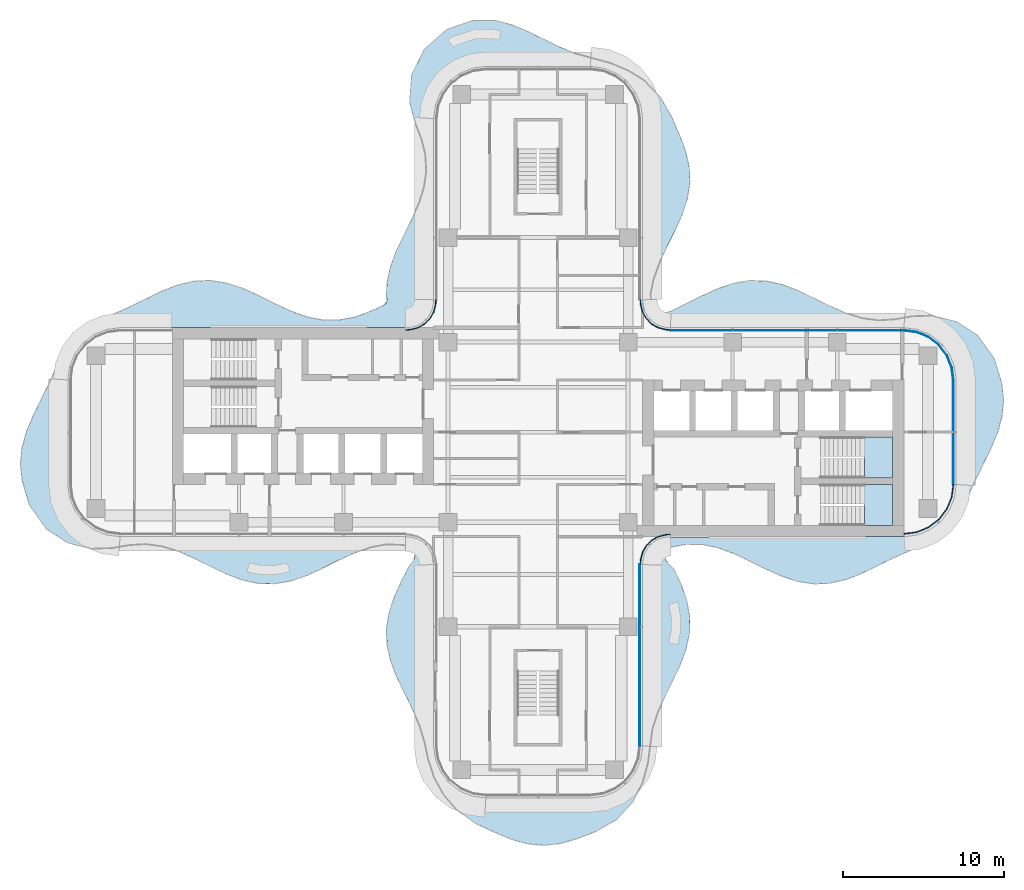
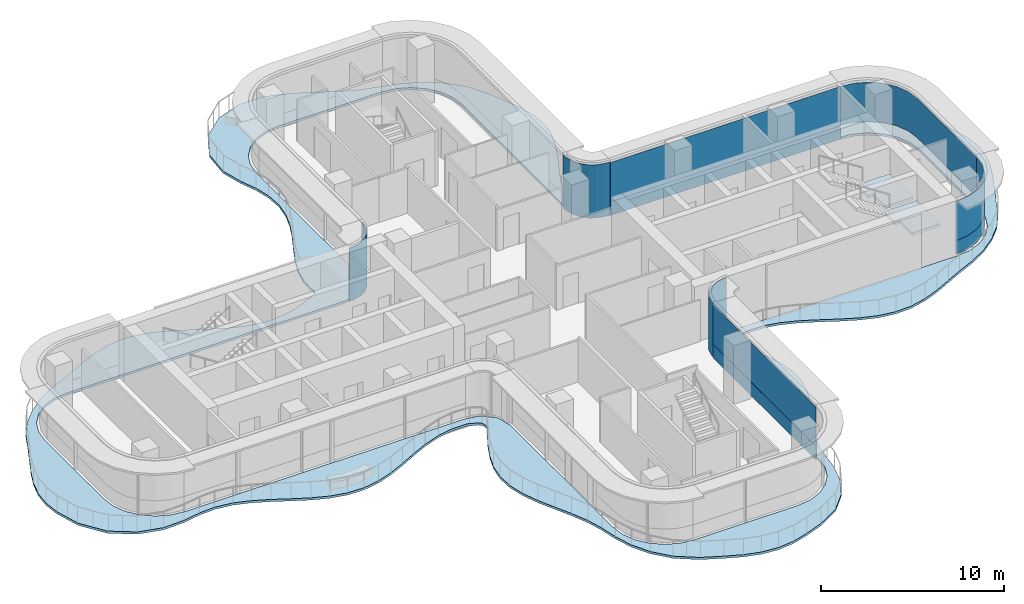
# One storey, part 9 of 16: 10 plates, 3 slabs, 9 elements without a shape of their own.
"""IFC4 building model written with IfcOpenShell, lengths in metres."""

from ifc_helpers import new_model, si_unit, direction, frame, origin, place, context, subcontext, project, spatial, polyline, outline, extrude, source, transform, mapped, material, layer, layer_set, type_object, element, aggregate, save


model = new_model("IFC4")

# Units and contexts
model_context = context("Model", 3, precision=1e-05, world=origin(), true_north=direction((0.0, 1.0)))
body_context = subcontext(model_context, "Body", "Model", "MODEL_VIEW")
ifc_project = project(units=[si_unit("LENGTHUNIT", "METRE"), si_unit("AREAUNIT", "SQUARE_METRE"), si_unit("VOLUMEUNIT", "CUBIC_METRE"), si_unit("PLANEANGLEUNIT", "RADIAN"), si_unit("MASSUNIT", "GRAM", prefix="KILO")], contexts=[model_context])

# Site, building, storey
site_placement = place(None, origin())
site = spatial("IfcSite", under=ifc_project, at=site_placement, CompositionType="ELEMENT")
building_placement = place(site_placement, origin())
building = spatial("IfcBuilding", under=site, at=building_placement, Name="Trellis Farm Tower", CompositionType="ELEMENT")
storey_placement = place(building_placement, frame((0.0, 0.0, 248.0)))
storey = spatial("IfcBuildingStorey", under=building, at=storey_placement, Name="L55", CompositionType="ELEMENT", Elevation=248.0)

# Slab
ifc_material_1 = material(Name="Concrete C40/50", Category="concrete")
ifc_layer_1 = layer(ifc_material_1, 0.14990234375)
ifc_layer_set_1 = layer_set([ifc_layer_1], Name="Balcony slab 150")
slab_type_1 = type_object("IfcSlabType", Name="Balcony slab 150", PredefinedType="FLOOR", material=ifc_layer_set_1)
slab_1_placement = place(storey_placement, frame((0.0, 0.0, -0.14990234375)))
element("IfcSlab", 1, at=slab_1_placement, inside=storey, type_object=slab_type_1, Name="Balcony slab", PredefinedType="FLOOR", context=body_context, shape_type="SweptSolid", body=[
    extrude(outline(polyline([(-21.38134765625, -7.8525390625), (-22.362060546875, -7.41845703125), (-22.36962890625, -7.41552734375), (-23.345703125, -7.104736328125), (-23.358154296875, -7.101806640625), (-24.403564453125, -6.95751953125), (-24.418212890625, -6.956787109375), (-25.388427734375, -7.015625), (-25.396728515625, -7.0166015625), (-26.466552734375, -7.203125), (-26.48681640625, -7.205078125), (-27.763427734375, -7.251953125), (-27.80517578125, -7.24755859375), (-29.21435546875, -6.896484375), (-29.259765625, -6.876953125), (-30.579833984375, -6.022705078125), (-30.602783203125, -6.004638671875), (-30.629638671875, -5.978515625), (-30.648681640625, -5.956298828125), (-31.62060546875, -4.560791015625), (-31.64111328125, -4.517822265625), (-32.090087890625, -3.010986328125), (-32.095458984375, -2.98388671875), (-32.196533203125, -2.0244140625), (-32.19677734375, -1.99560546875), (-32.111328125, -1.025390625), (-32.106689453125, -0.9990234375), (-31.83935546875, -0.019775390625), (-31.833251953125, -0.001708984375), (-31.422607421875, 0.9873046875), (-31.418701171875, 0.99560546875), (-30.445068359375, 2.994873046875), (-30.4443359375, 2.99658203125), (-29.920654296875, 4.146240234375), (-29.9091796875, 4.166748046875), (-29.260986328125, 5.1484375), (-29.243896484375, 5.169677734375), (-28.443359375, 6.00341796875), (-28.427978515625, 6.01708984375), (-27.5361328125, 6.72216796875), (-27.51708984375, 6.735107421875), (-26.494384765625, 7.3134765625), (-26.481201171875, 7.320068359375), (-25.36669921875, 7.812744140625), (-25.3642578125, 7.81396484375), (-23.3916015625, 8.776611328125), (-23.380126953125, 8.78173828125), (-22.404541015625, 9.15966796875), (-22.384765625, 9.166015625), (-21.41650390625, 9.39306640625), (-21.388916015625, 9.396728515625), (-20.422607421875, 9.440185546875), (-20.39306640625, 9.4384765625), (-19.392822265625, 9.283447265625), (-19.368896484375, 9.277587890625), (-18.396728515625, 8.956787109375), (-18.382080078125, 8.951171875), (-17.4072265625, 8.5126953125), (-17.40185546875, 8.51025390625), (-16.40185546875, 8.01123046875), (-16.400146484375, 8.010498046875), (-15.39697265625, 7.541259765625), (-15.390625, 7.53857421875), (-14.3916015625, 7.177978515625), (-14.380615234375, 7.175048828125), (-13.388916015625, 6.98046875), (-13.374755859375, 6.97900390625), (-12.392578125, 6.977294921875), (-12.37890625, 6.978515625), (-11.454833984375, 7.151611328125), (-11.44384765625, 7.15478515625), (-10.414794921875, 7.515625), (-10.407958984375, 7.518310546875), (-9.604248046875, 7.890625), (-9.589599609375, 7.899658203125), (-9.48486328125, 7.981201171875), (-9.4638671875, 8.00732421875), (-9.40966796875, 8.119140625), (-9.40234375, 8.15185546875), (-9.403076171875, 8.284912109375), (-9.4052734375, 8.3017578125), (-9.4287109375, 8.3994140625), (-9.4326171875, 8.438720703125), (-9.40771484375, 9.2783203125), (-9.404296875, 9.30615234375), (-9.191650390625, 10.27392578125), (-9.185546875, 10.294677734375), (-8.818115234375, 11.27001953125), (-8.813232421875, 11.28125), (-8.345703125, 12.265625), (-8.344482421875, 12.268310546875), (-7.85400390625, 13.253173828125), (-7.8525390625, 13.25634765625), (-7.40478515625, 14.27294921875), (-7.402099609375, 14.28076171875), (-7.1044921875, 15.22119140625), (-7.101806640625, 15.23291015625), (-6.960205078125, 16.20947265625), (-6.959716796875, 16.224609375), (-7.019775390625, 17.272216796875), (-7.02197265625, 17.285888671875), (-7.252197265625, 18.217041015625), (-7.255126953125, 18.22607421875), (-7.654296875, 19.252685546875), (-7.65966796875, 19.268798828125), (-7.990234375, 20.523681640625), (-7.994873046875, 20.572998046875), (-7.873291015625, 22.19921875), (-7.8681640625, 22.228759765625), (-7.85791015625, 22.2646484375), (-7.847412109375, 22.291748046875), (-7.077880859375, 23.8125), (-7.062255859375, 23.837158203125), (-7.0390625, 23.866943359375), (-7.01904296875, 23.88818359375), (-5.6923828125, 25.0361328125), (-5.668701171875, 25.052978515625), (-5.635986328125, 25.071533203125), (-5.609375, 25.08349609375), (-4.051513671875, 25.609130859375), (-4.002685546875, 25.616943359375), (-2.663330078125, 25.609130859375), (-2.625, 25.60400390625), (-1.64501953125, 25.33935546875), (-1.626708984375, 25.3330078125), (-0.6279296875, 24.918212890625), (-0.61962890625, 24.914306640625), (1.351318359375, 23.94921875), (1.356201171875, 23.947021484375), (2.3359375, 23.547119140625), (2.344482421875, 23.544189453125), (4.492431640625, 22.96044921875), (4.5107421875, 22.9541015625), (5.5458984375, 22.522705078125), (5.56640625, 22.512451171875), (6.546875, 21.914306640625), (6.574951171875, 21.89208984375), (7.56982421875, 20.893798828125), (7.593994140625, 20.862060546875), (8.300048828125, 19.617919921875), (8.307373046875, 19.603515625), (8.77978515625, 18.510498046875), (8.781982421875, 18.505126953125), (9.15966796875, 17.529541015625), (9.166015625, 17.509765625), (9.39306640625, 16.54150390625), (9.396728515625, 16.513916015625), (9.440185546875, 15.547607421875), (9.4384765625, 15.51806640625), (9.2900390625, 14.54541015625), (9.284423828125, 14.521484375), (8.96337890625, 13.5390625), (8.957763671875, 13.524169921875), (8.5126953125, 12.5322265625), (8.510009765625, 12.526611328125), (8.014892578125, 11.534423828125), (8.01416015625, 11.53271484375), (7.55322265625, 10.550537109375), (7.550537109375, 10.544189453125), (7.177978515625, 9.516357421875), (7.175048828125, 9.505859375), (6.9912109375, 8.598388671875), (6.98974609375, 8.587158203125), (6.985107421875, 8.4931640625), (6.9853515625, 8.48193359375), (7.045654296875, 7.89306640625), (7.048828125, 7.877685546875), (7.0869140625, 7.760498046875), (7.102294921875, 7.733642578125), (7.18505859375, 7.642578125), (7.19677734375, 7.632080078125), (7.466796875, 7.43798828125), (7.481201171875, 7.4296875), (7.601806640625, 7.37890625), (7.63427734375, 7.373291015625), (7.76416015625, 7.3798828125), (7.781494140625, 7.3828125), (8.260009765625, 7.52392578125), (8.272216796875, 7.52880859375), (10.16064453125, 8.467041015625), (10.1650390625, 8.468994140625), (11.147216796875, 8.91796875), (11.1611328125, 8.92333984375), (12.134033203125, 9.25634765625), (12.156982421875, 9.26220703125), (13.123291015625, 9.430419921875), (13.15283203125, 9.4326171875), (14.153076171875, 9.40771484375), (14.181396484375, 9.404296875), (15.149169921875, 9.191650390625), (15.169677734375, 9.185546875), (16.13134765625, 8.82373046875), (16.142822265625, 8.81884765625), (17.1376953125, 8.34716796875), (17.140380859375, 8.345947265625), (18.12841796875, 7.85400390625), (18.13134765625, 7.8525390625), (19.11181640625, 7.41845703125), (19.119873046875, 7.41552734375), (20.152587890625, 7.091796875), (20.165283203125, 7.089111328125), (21.15380859375, 6.957275390625), (21.168212890625, 6.956787109375), (22.138427734375, 7.015625), (22.146728515625, 7.0166015625), (23.216796875, 7.203125), (23.236328125, 7.205322265625), (24.465087890625, 7.256591796875), (24.507080078125, 7.25244140625), (25.964111328125, 6.896484375), (26.010009765625, 6.876708984375), (27.329833984375, 6.022705078125), (27.352783203125, 6.004638671875), (27.379638671875, 5.978515625), (27.398681640625, 5.956298828125), (28.37060546875, 4.560546875), (28.39111328125, 4.51806640625), (28.833984375, 3.042236328125), (28.83935546875, 3.014892578125), (28.94677734375, 1.990478515625), (28.947021484375, 1.9609375), (28.85595703125, 0.994384765625), (28.851318359375, 0.96875), (28.58935546875, 0.01953125), (28.583251953125, 0.001953125), (28.16796875, -0.997314453125), (28.164306640625, -1.00537109375), (27.195068359375, -2.99462890625), (27.194091796875, -2.99658203125), (26.683837890625, -4.1220703125), (26.672607421875, -4.142578125), (26.010986328125, -5.148193359375), (25.993896484375, -5.169677734375), (25.210693359375, -5.98779296875), (25.1953125, -6.00146484375), (24.286376953125, -6.72216796875), (24.266845703125, -6.735107421875), (23.22900390625, -7.3212890625), (23.2158203125, -7.327880859375), (22.116943359375, -7.812744140625), (22.1142578125, -7.81396484375), (20.1416015625, -8.776611328125), (20.130126953125, -8.78173828125), (19.154541015625, -9.15966796875), (19.134765625, -9.166015625), (18.16650390625, -9.39306640625), (18.138916015625, -9.396728515625), (17.172607421875, -9.440185546875), (17.14306640625, -9.4384765625), (16.17041015625, -9.2900390625), (16.146484375, -9.284423828125), (15.1640625, -8.96337890625), (15.149169921875, -8.957763671875), (14.1572265625, -8.5126953125), (14.151611328125, -8.510009765625), (13.159423828125, -8.014892578125), (13.15771484375, -8.01416015625), (12.175537109375, -7.55322265625), (12.169189453125, -7.550537109375), (11.141357421875, -7.177978515625), (11.130859375, -7.175048828125), (10.205322265625, -6.9873046875), (10.191650390625, -6.986083984375), (9.21240234375, -6.971435546875), (9.197509765625, -6.972900390625), (8.3447265625, -7.134521484375), (8.3212890625, -7.143310546875), (8.147216796875, -7.244384765625), (8.128173828125, -7.260009765625), (7.9580078125, -7.45556640625), (7.947021484375, -7.472412109375), (7.879150390625, -7.61474609375), (7.87255859375, -7.65380859375), (7.888427734375, -7.810546875), (7.893310546875, -7.830322265625), (7.9638671875, -8.01025390625), (7.971435546875, -8.02490234375), (8.047119140625, -8.13720703125), (8.0576171875, -8.149658203125), (8.4345703125, -8.507568359375), (8.453369140625, -8.529052734375), (8.47509765625, -8.559326171875), (8.489501953125, -8.584228515625), (8.91796875, -9.522216796875), (8.92333984375, -9.5361328125), (9.25634765625, -10.509033203125), (9.26220703125, -10.531982421875), (9.430419921875, -11.49853515625), (9.4326171875, -11.527587890625), (9.41162109375, -12.495361328125), (9.408447265625, -12.523681640625), (9.19873046875, -13.49951171875), (9.192626953125, -13.5205078125), (8.82373046875, -14.50634765625), (8.81884765625, -14.51806640625), (8.34716796875, -15.5126953125), (8.345947265625, -15.515380859375), (7.85400390625, -16.50341796875), (7.8525390625, -16.50634765625), (7.41845703125, -17.487060546875), (7.41552734375, -17.49462890625), (7.104736328125, -18.470458984375), (7.10205078125, -18.482666015625), (6.95361328125, -19.52783203125), (6.95361328125, -19.529296875), (6.8203125, -20.619384765625), (6.81591796875, -20.641357421875), (6.4951171875, -21.79150390625), (6.484130859375, -21.819091796875), (5.8916015625, -22.984619140625), (5.86865234375, -23.017578125), (4.915771484375, -24.0625), (4.87939453125, -24.091796875), (3.54248046875, -24.856201171875), (3.52099609375, -24.866455078125), (2.37255859375, -25.29931640625), (2.361572265625, -25.302978515625), (1.391357421875, -25.584716796875), (1.3662109375, -25.589599609375), (0.400146484375, -25.6962890625), (0.3701171875, -25.696533203125), (-0.630126953125, -25.60595703125), (-0.65673828125, -25.60107421875), (-1.626220703125, -25.332275390625), (-1.643798828125, -25.326171875), (-2.621826171875, -24.91845703125), (-2.626220703125, -24.91650390625), (-3.807373046875, -24.37890625), (-3.830810546875, -24.365478515625), (-5.023193359375, -23.537841796875), (-5.051513671875, -23.51220703125), (-5.888671875, -22.53662109375), (-5.90673828125, -22.510498046875), (-6.4794921875, -21.45068359375), (-6.490478515625, -21.42529296875), (-6.840087890625, -20.341796875), (-6.843994140625, -20.326904296875), (-7.0712890625, -19.2626953125), (-7.072998046875, -19.2568359375), (-7.3701171875, -18.267822265625), (-7.373046875, -18.259765625), (-7.81298828125, -17.2412109375), (-7.814453125, -17.238037109375), (-8.781982421875, -15.25439453125), (-8.787109375, -15.242431640625), (-9.1669921875, -14.25634765625), (-9.173095703125, -14.236083984375), (-9.3974609375, -13.25927734375), (-9.401123046875, -13.2314453125), (-9.438232421875, -12.26318359375), (-9.4365234375, -12.23388671875), (-9.283447265625, -11.267578125), (-9.277587890625, -11.243896484375), (-8.956787109375, -10.271728515625), (-8.951171875, -10.257080078125), (-8.51416015625, -9.285400390625), (-8.510009765625, -9.277099609375), (-8.0244140625, -8.351806640625), (-8.011474609375, -8.3310546875), (-7.7421875, -7.97412109375), (-7.734619140625, -7.961669921875), (-7.683349609375, -7.855224609375), (-7.676025390625, -7.826416015625), (-7.6708984375, -7.70849609375), (-7.671630859375, -7.693359375), (-7.70458984375, -7.485595703125), (-7.7099609375, -7.467529296875), (-7.767333984375, -7.334716796875), (-7.789794921875, -7.3056640625), (-7.90380859375, -7.216552734375), (-7.919921875, -7.20703125), (-8.36572265625, -7.01123046875), (-8.380126953125, -7.006591796875), (-8.502685546875, -6.98046875), (-8.518310546875, -6.978759765625), (-9.456298828125, -6.977294921875), (-9.47021484375, -6.978515625), (-10.39404296875, -7.151611328125), (-10.405029296875, -7.15478515625), (-11.43408203125, -7.515625), (-11.44091796875, -7.518310546875), (-12.422607421875, -7.973388671875), (-12.4248046875, -7.974365234375), (-13.416015625, -8.469482421875), (-13.420654296875, -8.4716796875), (-14.41357421875, -8.92431640625), (-14.42724609375, -8.9296875), (-15.384033203125, -9.25634765625), (-15.40673828125, -9.26220703125), (-16.373291015625, -9.430419921875), (-16.40283203125, -9.4326171875), (-17.403076171875, -9.40771484375), (-17.431396484375, -9.404296875), (-18.399169921875, -9.191650390625), (-18.419677734375, -9.185546875), (-19.38134765625, -8.82373046875), (-19.392822265625, -8.81884765625), (-20.3876953125, -8.34716796875), (-20.390380859375, -8.345947265625), (-21.37841796875, -7.85400390625), (-21.38134765625, -7.8525390625)]), holes=[polyline([(-6.794921875, 7.27783203125), (-7.40673828125, 6.7138671875), (-7.4423828125, 6.689453125), (-7.49072265625, 6.665771484375), (-7.53173828125, 6.65234375), (-8.406494140625, 6.50439453125), (-8.431396484375, 6.50244140625), (-21.205810546875, 6.50048828125), (-26.0, 6.50048828125), (-26.84130859375, 6.389892578125), (-27.625244140625, 6.065185546875), (-28.298583984375, 5.548583984375), (-28.815185546875, 4.875244140625), (-29.139892578125, 4.09130859375), (-29.25048828125, 3.25), (-29.25048828125, -3.25), (-29.139892578125, -4.09130859375), (-28.815185546875, -4.875244140625), (-28.298583984375, -5.548583984375), (-27.625244140625, -6.065185546875), (-26.84130859375, -6.389892578125), (-26.0, -6.50048828125), (-8.453125, -6.50048828125), (-8.435791015625, -6.501953125), (-7.531982421875, -6.652587890625), (-7.490478515625, -6.665771484375), (-7.4423828125, -6.689453125), (-7.40673828125, -6.7138671875), (-6.794921875, -7.27783203125), (-6.767578125, -7.311279296875), (-6.740234375, -7.357421875), (-6.723388671875, -7.398193359375), (-6.50439453125, -8.28369140625), (-6.50048828125, -8.31494140625), (-6.50048828125, -19.5), (-6.389892578125, -20.34130859375), (-6.065185546875, -21.125244140625), (-5.548583984375, -21.798583984375), (-4.875244140625, -22.315185546875), (-4.09130859375, -22.639892578125), (-3.25, -22.75048828125), (3.25, -22.75048828125), (4.09130859375, -22.639892578125), (4.875244140625, -22.315185546875), (5.548583984375, -21.798583984375), (6.065185546875, -21.125244140625), (6.389892578125, -20.34130859375), (6.50048828125, -19.5), (6.50048828125, -14.017822265625), (6.50146484375, -8.5390625), (6.50244140625, -8.5205078125), (6.61474609375, -7.626708984375), (6.62548828125, -7.5869140625), (6.6455078125, -7.539306640625), (6.66650390625, -7.50390625), (7.1875, -6.853515625), (7.22021484375, -6.8232421875), (7.265380859375, -6.79248046875), (7.306640625, -6.772705078125), (8.177734375, -6.510009765625), (8.220947265625, -6.503662109375), (19.881591796875, -6.50048828125), (22.75, -6.50048828125), (23.59130859375, -6.389892578125), (24.375244140625, -6.065185546875), (25.048583984375, -5.548583984375), (25.565185546875, -4.875244140625), (25.889892578125, -4.09130859375), (26.00048828125, -3.25), (26.00048828125, 3.25), (25.889892578125, 4.09130859375), (25.565185546875, 4.875244140625), (25.048583984375, 5.548583984375), (24.375244140625, 6.065185546875), (23.59130859375, 6.389892578125), (22.75, 6.50048828125), (19.881591796875, 6.50048828125), (8.220947265625, 6.503662109375), (8.177734375, 6.510009765625), (7.306640625, 6.772705078125), (7.265380859375, 6.79248046875), (7.22021484375, 6.8232421875), (7.1875, 6.853515625), (6.66650390625, 7.50390625), (6.6455078125, 7.539306640625), (6.62548828125, 7.5869140625), (6.61474609375, 7.626953125), (6.501220703125, 8.542236328125), (6.50048828125, 8.551025390625), (6.50048828125, 19.5), (6.389892578125, 20.34130859375), (6.065185546875, 21.125244140625), (5.548583984375, 21.798583984375), (4.875244140625, 22.315185546875), (4.09130859375, 22.639892578125), (3.25, 22.75048828125), (-3.25, 22.75048828125), (-4.09130859375, 22.639892578125), (-4.875244140625, 22.315185546875), (-5.548583984375, 21.798583984375), (-6.065185546875, 21.125244140625), (-6.389892578125, 20.34130859375), (-6.50048828125, 19.5), (-6.50048828125, 8.31494140625), (-6.50439453125, 8.28369140625), (-6.723388671875, 7.398193359375), (-6.740234375, 7.357421875), (-6.767578125, 7.311279296875), (-6.794921875, 7.27783203125)])]), origin(), (0.0, 0.0, 1.0), 0.14990234375),
])

# Stair, slab
ifc_material_2 = material(Name="Concrete C50/60", Category="concrete")
stair_type = type_object("IfcStairType", Name="CORE EXIT STAIR 22 RISERS 177 MM", PredefinedType="HALF_TURN_STAIR", material=ifc_material_2)
placement_1 = place(storey_placement, origin())
stair_1 = element("IfcStair", 2, at=placement_1, inside=storey, type_object=stair_type, Name="Exit stair E1", PredefinedType="HALF_TURN_STAIR")
ifc_layer_2 = layer(ifc_material_2, 0.18994140625)
ifc_layer_set_2 = layer_set([ifc_layer_2], Name="CORE STAIR LANDING 190 CONCRETE C50/60")
slab_type_2 = type_object("IfcSlabType", Name="CORE STAIR LANDING 190 CONCRETE C50/60", PredefinedType="LANDING", material=ifc_layer_set_2)
shared_shape_1 = source(origin(), body_context, "Body", "SweptSolid", [
    extrude(outline(polyline([(20.2900390625, -5.800048828125), (20.2900390625, -4.60009765625), (20.300048828125, -4.60009765625), (20.300048828125, -4.449951171875), (19.971923828125, -4.449951171875), (19.971923828125, -3.25), (20.300048828125, -3.25), (22.050048828125, -3.25), (22.050048828125, -5.800048828125), (20.300048828125, -5.800048828125), (20.2900390625, -5.800048828125)])), origin(), (0.0, 0.0, 1.0), 0.18994140625),
])
placement_2 = place(storey_placement, frame((0.0, 0.0, 1.760009765625)))
slab_2 = element("IfcSlab", 3, at=placement_2, type_object=slab_type_2, Name="STE1 landing 1", PredefinedType="LANDING", context=body_context, shape_type="MappedRepresentation", body=[
    mapped(shared_shape_1, transform((0.0, 0.0, 0.0))),
])
aggregate(stair_1, [slab_2])

stair_2 = element("IfcStair", 4, at=placement_1, inside=storey, type_object=stair_type, Name="Exit stair E2", PredefinedType="HALF_TURN_STAIR")
shared_shape_2 = source(origin(), body_context, "Body", "SweptSolid", [
    extrude(outline(polyline([(20.2900390625, -2.85009765625), (20.2900390625, -1.64990234375), (20.300048828125, -1.64990234375), (20.300048828125, -1.5), (19.971923828125, -1.5), (19.971923828125, -0.300048828125), (20.300048828125, -0.300048828125), (22.050048828125, -0.300048828125), (22.050048828125, -2.85009765625), (20.300048828125, -2.85009765625), (20.2900390625, -2.85009765625)])), origin(), (0.0, 0.0, 1.0), 0.18994140625),
])
slab_3 = element("IfcSlab", 5, at=placement_2, type_object=slab_type_2, Name="STE2 landing 1", PredefinedType="LANDING", context=body_context, shape_type="MappedRepresentation", body=[
    mapped(shared_shape_2, transform((0.0, 0.0, 0.0))),
])
aggregate(stair_2, [slab_3])

# Curtain wall, plate
ifc_material_3 = material(Name="Aluminium and glass curtain wall", Category="aluminium")
ifc_layer_3 = layer(ifc_material_3, 0.166015625)
ifc_layer_set_3 = layer_set([ifc_layer_3], Name="WINTER GARDEN CURTAIN WALL CW3")
curtain_wall_type_1 = type_object("IfcCurtainWallType", Name="WINTER GARDEN CURTAIN WALL CW3", PredefinedType="NOTDEFINED", material=ifc_layer_set_3)
curtain_wall_1 = element("IfcCurtainWall", 6, at=placement_1, inside=storey, type_object=curtain_wall_type_1, Name="CW3 002", PredefinedType="NOTDEFINED")
ifc_material_4 = material(Name="Clear insulated glass", Category="glass")
ifc_layer_4 = layer(ifc_material_4, 0.0458984375)
ifc_layer_set_4 = layer_set([ifc_layer_4], Name="CW3 GLASS PANEL 46")
plate_type_1 = type_object("IfcPlateType", Name="CW3 GLASS PANEL 46", PredefinedType="CURTAIN_PANEL", material=ifc_layer_set_4)
shared_shape_3 = source(origin(), body_context, "Body", "SweptSolid", [
    extrude(outline(polyline([(6.3798828125, -8.2275390625), (6.394287109375, -8.0078125), (6.40966796875, -7.89208984375), (6.52490234375, -7.462158203125), (6.7509765625, -7.070556640625), (7.070556640625, -6.7509765625), (7.462158203125, -6.52490234375), (7.89208984375, -6.40966796875), (8.0078125, -6.394287109375), (8.2275390625, -6.3798828125), (8.22607421875, -6.333984375), (8.003173828125, -6.3486328125), (7.883056640625, -6.364501953125), (7.4443359375, -6.48193359375), (7.04248046875, -6.714111328125), (6.714111328125, -7.04248046875), (6.48193359375, -7.4443359375), (6.364501953125, -7.883056640625), (6.3486328125, -8.003173828125), (6.333984375, -8.22607421875), (6.3798828125, -8.2275390625)])), origin(), (0.0, 0.0, 1.0), 3.550048828125),
])
plate_1 = element("IfcPlate", 7, at=placement_1, type_object=plate_type_1, Name="PL3 002", PredefinedType="CURTAIN_PANEL", context=body_context, shape_type="MappedRepresentation", body=[
    mapped(shared_shape_3, transform((0.0, 0.0, 0.0))),
])
aggregate(curtain_wall_1, [plate_1])

curtain_wall_2 = element("IfcCurtainWall", 8, at=placement_1, inside=storey, type_object=curtain_wall_type_1, Name="CW3 003", PredefinedType="NOTDEFINED")
shared_shape_4 = source(origin(), body_context, "Body", "SweptSolid", [
    extrude(outline(polyline([(8.2275390625, 6.3798828125), (8.0078125, 6.394287109375), (7.89208984375, 6.40966796875), (7.462158203125, 6.52490234375), (7.070556640625, 6.7509765625), (6.7509765625, 7.070556640625), (6.52490234375, 7.462158203125), (6.40966796875, 7.89208984375), (6.394287109375, 8.0078125), (6.3798828125, 8.2275390625), (6.333984375, 8.22607421875), (6.3486328125, 8.003173828125), (6.364501953125, 7.883056640625), (6.48193359375, 7.4443359375), (6.714111328125, 7.04248046875), (7.04248046875, 6.714111328125), (7.4443359375, 6.48193359375), (7.883056640625, 6.364501953125), (8.003173828125, 6.3486328125), (8.22607421875, 6.333984375), (8.2275390625, 6.3798828125)])), origin(), (0.0, 0.0, 1.0), 3.550048828125),
])
plate_2 = element("IfcPlate", 9, at=placement_1, type_object=plate_type_1, Name="PL3 003", PredefinedType="CURTAIN_PANEL", context=body_context, shape_type="MappedRepresentation", body=[
    mapped(shared_shape_4, transform((0.0, 0.0, 0.0))),
])
aggregate(curtain_wall_2, [plate_2])

curtain_wall_3 = element("IfcCurtainWall", 10, at=placement_1, inside=storey, type_object=curtain_wall_type_1, Name="CW3 004", PredefinedType="NOTDEFINED")
shared_shape_5 = source(origin(), body_context, "Body", "SweptSolid", [
    extrude(outline(polyline([(-6.3798828125, 8.2275390625), (-6.394287109375, 8.0078125), (-6.40966796875, 7.89208984375), (-6.52490234375, 7.462158203125), (-6.7509765625, 7.070556640625), (-7.070556640625, 6.7509765625), (-7.462158203125, 6.52490234375), (-7.89208984375, 6.40966796875), (-8.0078125, 6.394287109375), (-8.2275390625, 6.3798828125), (-8.22607421875, 6.333984375), (-8.003173828125, 6.3486328125), (-7.883056640625, 6.364501953125), (-7.4443359375, 6.48193359375), (-7.04248046875, 6.714111328125), (-6.714111328125, 7.04248046875), (-6.48193359375, 7.4443359375), (-6.364501953125, 7.883056640625), (-6.3486328125, 8.003173828125), (-6.333984375, 8.22607421875), (-6.3798828125, 8.2275390625)])), origin(), (0.0, 0.0, 1.0), 3.550048828125),
])
plate_3 = element("IfcPlate", 11, at=placement_1, type_object=plate_type_1, Name="PL3 004", PredefinedType="CURTAIN_PANEL", context=body_context, shape_type="MappedRepresentation", body=[
    mapped(shared_shape_5, transform((0.0, 0.0, 0.0))),
])
aggregate(curtain_wall_3, [plate_3])

# Curtain wall, plates
ifc_layer_5 = layer(ifc_material_3, 0.18994140625)
ifc_layer_set_5 = layer_set([ifc_layer_5], Name="RIBBON CURTAIN WALL CW1")
curtain_wall_type_2 = type_object("IfcCurtainWallType", Name="RIBBON CURTAIN WALL CW1", PredefinedType="NOTDEFINED", material=ifc_layer_set_5)
curtain_wall_4 = element("IfcCurtainWall", 12, at=placement_1, inside=storey, type_object=curtain_wall_type_2, Name="CW1 006", PredefinedType="NOTDEFINED")
ifc_layer_6 = layer(ifc_material_4, 0.0400390625)
ifc_layer_set_6 = layer_set([ifc_layer_6], Name="CW1 GLASS PANEL 40")
plate_type_2 = type_object("IfcPlateType", Name="CW1 GLASS PANEL 40", PredefinedType="CURTAIN_PANEL", material=ifc_layer_set_6)
shared_shape_6 = source(origin(), body_context, "Body", "SweptSolid", [
    extrude(outline(polyline([(22.740234375, -6.35009765625), (23.552001953125, -6.2431640625), (24.29931640625, -5.93359375), (24.941162109375, -5.441162109375), (25.43359375, -4.79931640625), (25.7431640625, -4.052001953125), (25.85009765625, -3.240234375), (25.81005859375, -3.237548828125), (25.7041015625, -4.04150390625), (25.398681640625, -4.779296875), (24.91259765625, -5.41259765625), (24.279296875, -5.898681640625), (23.54150390625, -6.2041015625), (22.737548828125, -6.31005859375), (22.740234375, -6.35009765625)])), origin(), (0.0, 0.0, 1.0), 2.6201171875),
])
placement_3 = place(storey_placement, frame((0.0, 0.0, 0.89990234375)))
plate_4 = element("IfcPlate", 13, at=placement_3, type_object=plate_type_2, Name="PL1 006", PredefinedType="CURTAIN_PANEL", context=body_context, shape_type="MappedRepresentation", body=[
    mapped(shared_shape_6, transform((0.0, 0.0, 0.0))),
])
ifc_material_5 = material(Name="Sandstone faced insulated panel", Category="masonry")
ifc_layer_7 = layer(ifc_material_5, 0.050048828125)
ifc_layer_set_7 = layer_set([ifc_layer_7], Name="CW1 STONE SPANDREL PANEL 50")
plate_type_3 = type_object("IfcPlateType", Name="CW1 STONE SPANDREL PANEL 50", PredefinedType="CURTAIN_PANEL", material=ifc_layer_set_7)
shared_shape_7 = source(origin(), body_context, "Body", "SweptSolid", [
    extrude(outline(polyline([(22.740234375, -6.35009765625), (23.552001953125, -6.2431640625), (24.29931640625, -5.93359375), (24.941162109375, -5.441162109375), (25.43359375, -4.79931640625), (25.7431640625, -4.052001953125), (25.85009765625, -3.240234375), (25.800048828125, -3.23681640625), (25.6943359375, -4.0390625), (25.389892578125, -4.774169921875), (24.905517578125, -5.405517578125), (24.274169921875, -5.889892578125), (23.5390625, -6.1943359375), (22.73681640625, -6.300048828125), (22.740234375, -6.35009765625)])), origin(), (0.0, 0.0, 1.0), 0.89990234375),
])
plate_5 = element("IfcPlate", 14, at=placement_1, type_object=plate_type_3, Name="PS1 006", PredefinedType="CURTAIN_PANEL", context=body_context, shape_type="MappedRepresentation", body=[
    mapped(shared_shape_7, transform((0.0, 0.0, 0.0))),
])
aggregate(curtain_wall_4, [plate_4, plate_5])

# Curtain wall, plate
curtain_wall_5 = element("IfcCurtainWall", 15, at=placement_1, inside=storey, type_object=curtain_wall_type_2, Name="CW1 007", PredefinedType="NOTDEFINED")
shared_shape_8 = source(origin(), body_context, "Body", "SweptSolid", [
    extrude(outline(polyline([(25.85009765625, -3.240234375), (25.85009765625, 3.240234375), (25.7431640625, 4.052001953125), (25.43359375, 4.79931640625), (24.941162109375, 5.441162109375), (24.29931640625, 5.93359375), (23.552001953125, 6.2431640625), (22.740234375, 6.35009765625), (22.737548828125, 6.31005859375), (23.54150390625, 6.2041015625), (24.279296875, 5.898681640625), (24.91259765625, 5.41259765625), (25.398681640625, 4.779296875), (25.7041015625, 4.04150390625), (25.81005859375, 3.237548828125), (25.81005859375, -3.237548828125), (25.85009765625, -3.240234375)])), origin(), (0.0, 0.0, 1.0), 2.6201171875),
])
plate_6 = element("IfcPlate", 16, at=placement_3, type_object=plate_type_2, Name="PL1 007", PredefinedType="CURTAIN_PANEL", context=body_context, shape_type="MappedRepresentation", body=[
    mapped(shared_shape_8, transform((0.0, 0.0, 0.0))),
])
aggregate(curtain_wall_5, [plate_6])

# Curtain wall, plates
curtain_wall_6 = element("IfcCurtainWall", 17, at=placement_1, inside=storey, type_object=curtain_wall_type_2, Name="CW1 008", PredefinedType="NOTDEFINED")
shared_shape_9 = source(origin(), body_context, "Body", "SweptSolid", [
    extrude(outline(polyline([(22.740234375, 6.35009765625), (8.2265625, 6.35009765625), (8.22509765625, 6.31005859375), (22.737548828125, 6.31005859375), (22.740234375, 6.35009765625)])), origin(), (0.0, 0.0, 1.0), 2.6201171875),
])
plate_7 = element("IfcPlate", 18, at=placement_3, type_object=plate_type_2, Name="PL1 008", PredefinedType="CURTAIN_PANEL", context=body_context, shape_type="MappedRepresentation", body=[
    mapped(shared_shape_9, transform((0.0, 0.0, 0.0))),
])
shared_shape_10 = source(origin(), body_context, "Body", "SweptSolid", [
    extrude(outline(polyline([(22.740234375, 6.35009765625), (8.2265625, 6.35009765625), (8.224853515625, 6.300048828125), (22.73681640625, 6.300048828125), (22.740234375, 6.35009765625)])), origin(), (0.0, 0.0, 1.0), 0.89990234375),
])
plate_8 = element("IfcPlate", 19, at=placement_1, type_object=plate_type_3, Name="PS1 008", PredefinedType="CURTAIN_PANEL", context=body_context, shape_type="MappedRepresentation", body=[
    mapped(shared_shape_10, transform((0.0, 0.0, 0.0))),
])
aggregate(curtain_wall_6, [plate_7, plate_8])

curtain_wall_7 = element("IfcCurtainWall", 20, at=placement_1, inside=storey, type_object=curtain_wall_type_2, Name="CW1 005", PredefinedType="NOTDEFINED")
shared_shape_11 = source(origin(), body_context, "Body", "SweptSolid", [
    extrude(outline(polyline([(6.35009765625, -19.490234375), (6.35009765625, -8.2265625), (6.31005859375, -8.22509765625), (6.31005859375, -19.487548828125), (6.35009765625, -19.490234375)])), origin(), (0.0, 0.0, 1.0), 2.6201171875),
])
plate_9 = element("IfcPlate", 21, at=placement_3, type_object=plate_type_2, Name="PL1 005", PredefinedType="CURTAIN_PANEL", context=body_context, shape_type="MappedRepresentation", body=[
    mapped(shared_shape_11, transform((0.0, 0.0, 0.0))),
])
shared_shape_12 = source(origin(), body_context, "Body", "SweptSolid", [
    extrude(outline(polyline([(6.35009765625, -19.490234375), (6.35009765625, -8.2265625), (6.300048828125, -8.224853515625), (6.300048828125, -19.48681640625), (6.35009765625, -19.490234375)])), origin(), (0.0, 0.0, 1.0), 0.89990234375),
])
plate_10 = element("IfcPlate", 22, at=placement_1, type_object=plate_type_3, Name="PS1 005", PredefinedType="CURTAIN_PANEL", context=body_context, shape_type="MappedRepresentation", body=[
    mapped(shared_shape_12, transform((0.0, 0.0, 0.0))),
])
aggregate(curtain_wall_7, [plate_9, plate_10])

save(model, "model.ifc")
